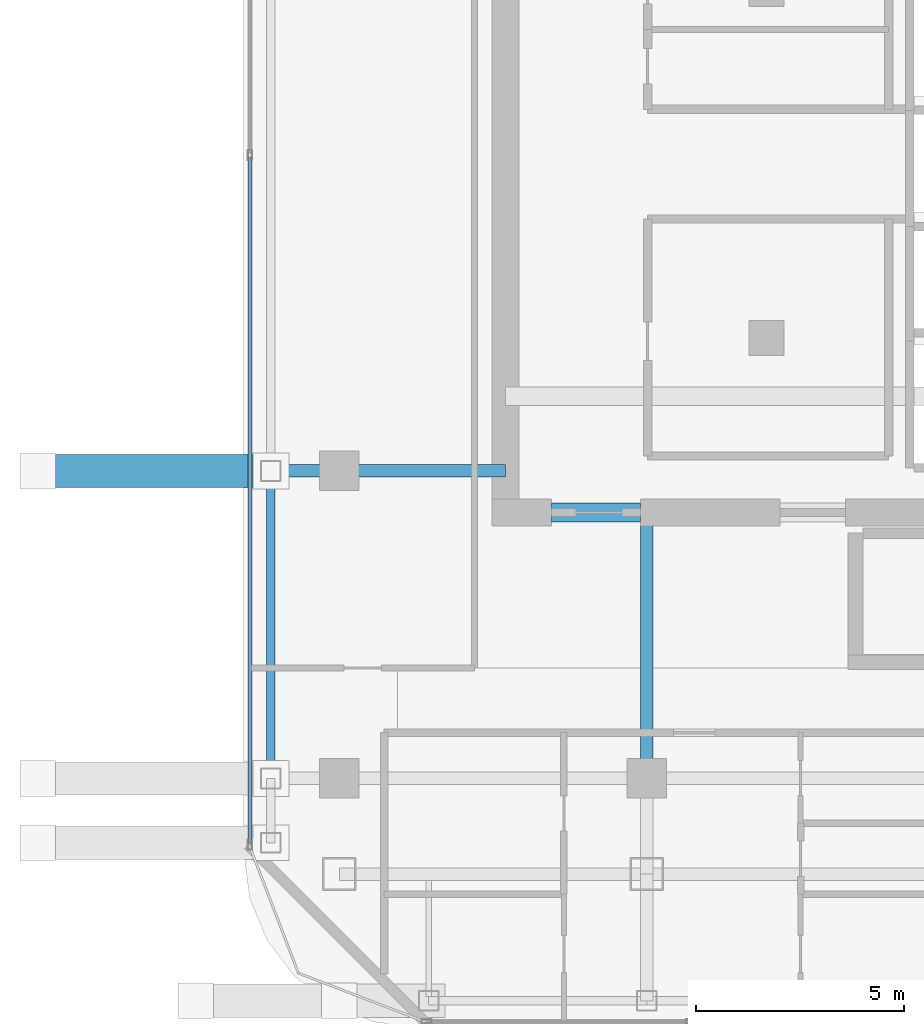
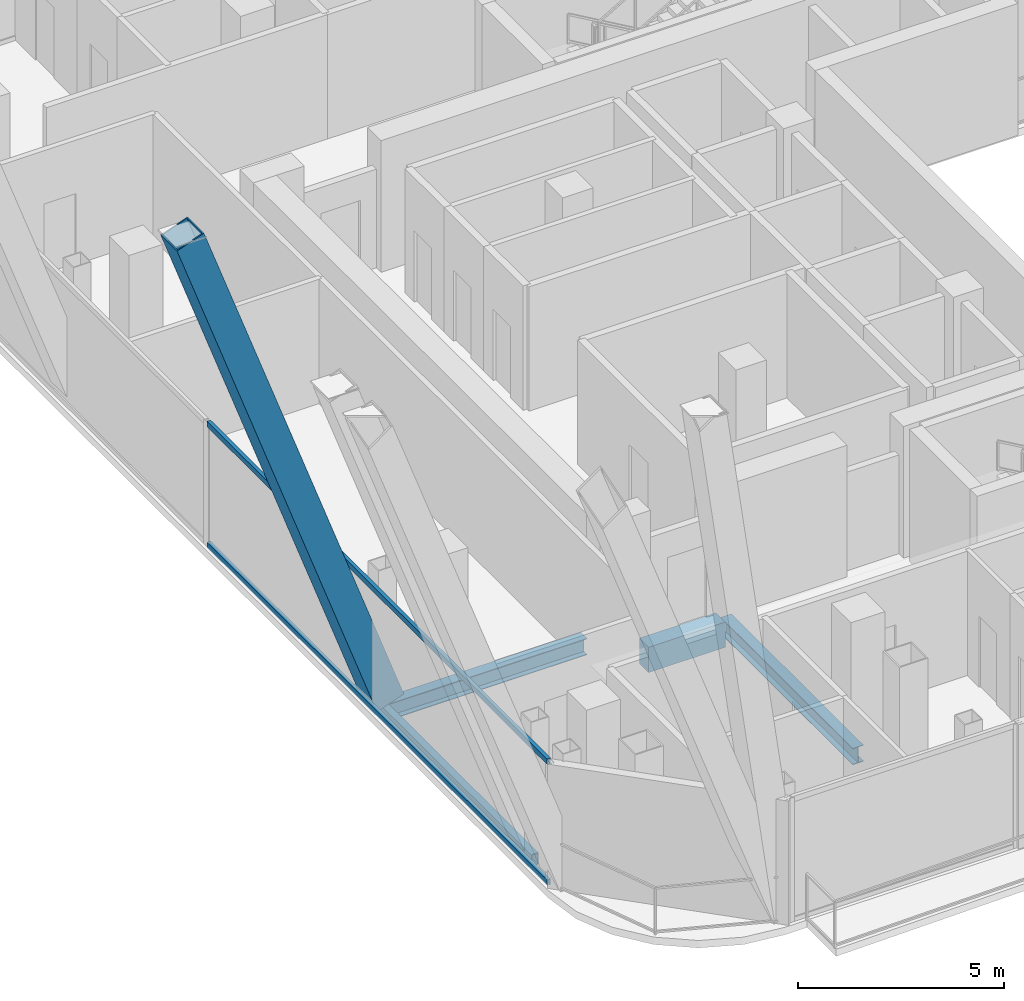
# One storey, part 3 of 27: 4 beams, 3 members, 1 element without a shape of its own.
"""IFC4 building model written with IfcOpenShell, lengths in metres."""

from ifc_helpers import new_model, si_unit, direction, frame, origin, origin_2d, place, context, subcontext, project, spatial, rectangle, hollow_rectangle, i_section, extrude, material, layer, layer_set, material_profile, profile_set, type_object, element, aggregate, save


model = new_model("IFC4")

# Units and contexts
model_context = context("Model", 3, precision=1e-05, world=origin(), true_north=direction((0.0, 1.0)))
body_context = subcontext(model_context, "Body", "Model", "MODEL_VIEW")
ifc_project = project(units=[si_unit("LENGTHUNIT", "METRE"), si_unit("AREAUNIT", "SQUARE_METRE"), si_unit("VOLUMEUNIT", "CUBIC_METRE"), si_unit("PLANEANGLEUNIT", "RADIAN"), si_unit("MASSUNIT", "GRAM", prefix="KILO")], contexts=[model_context])

# Site, building, storey
site_placement = place(None, origin())
site = spatial("IfcSite", under=ifc_project, at=site_placement, CompositionType="ELEMENT")
building_placement = place(site_placement, origin())
building = spatial("IfcBuilding", under=site, at=building_placement, Name="Khorvyn Point Tower", CompositionType="ELEMENT")
storey_placement = place(building_placement, frame((0.0, 0.0, 270.300048828125)))
storey = spatial("IfcBuildingStorey", under=building, at=storey_placement, Name="L66", CompositionType="ELEMENT", Elevation=270.300048828125)

# Curtain wall, members
ifc_material_1 = material(Name="Anodised aluminium 6063-T6 and laminated Low-E glass", Category="aluminium")
ifc_layer = layer(ifc_material_1, 0.18994140625)
ifc_layer_set = layer_set([ifc_layer], Name="Stick-Built High-Wind Curtain Wall CW-SYS-04")
curtain_wall_type = type_object("IfcCurtainWallType", Name="Stick-Built High-Wind Curtain Wall CW-SYS-04", PredefinedType="NOTDEFINED", material=ifc_layer_set)
curtain_wall_placement = place(storey_placement, origin())
curtain_wall = element("IfcCurtainWall", 1, at=curtain_wall_placement, inside=storey, type_object=curtain_wall_type, Name="Curtain Wall", PredefinedType="NOTDEFINED")
ifc_material_2 = material(Name="Anodised aluminium 6063-T6", Category="aluminium")
ifc_material_profile_1 = material_profile(ifc_material_2, hollow_rectangle(XDim=0.10009765625, YDim=0.159912109375, WallThickness=0.00439453125, at=origin_2d()))
ifc_profile_set_1 = profile_set([ifc_material_profile_1], Name="Anodised aluminium 6063-T6 ALU-TRN-100x160")
member_type_1 = type_object("IfcMemberType", Name="Anodised Aluminium 6063-T6 Transom ALU-TRN-100x160", PredefinedType="USERDEFINED", material=ifc_profile_set_1)
member_1_placement = place(storey_placement, frame((-16.949951171875, -16.35009765625, 0.050048828125), z_axis=(0.0, 1.0, 0.0), x_axis=(-1.0, 0.0, 0.0)))
member_1 = element("IfcMember", 2, at=member_1_placement, type_object=member_type_1, Name="Transom", ObjectType="TRANSOM", PredefinedType="USERDEFINED", context=body_context, shape_type="SweptSolid", body=[
    extrude(hollow_rectangle(XDim=0.10009765625, YDim=0.159912109375, WallThickness=0.00439453125, at=origin_2d()), origin(), (0.0, 0.0, 1.0), 16.5),
])
member_2_placement = place(storey_placement, frame((-16.949951171875, -16.35009765625, 3.6298828125), z_axis=(0.0, 1.0, 0.0), x_axis=(-1.0, 0.0, 0.0)))
member_2 = element("IfcMember", 3, at=member_2_placement, type_object=member_type_1, Name="Transom", ObjectType="TRANSOM", PredefinedType="USERDEFINED", context=body_context, shape_type="SweptSolid", body=[
    extrude(hollow_rectangle(XDim=0.10009765625, YDim=0.159912109375, WallThickness=0.00439453125, at=origin_2d()), origin(), (0.0, 0.0, 1.0), 16.5),
])
aggregate(curtain_wall, [member_1, member_2])

# Beams
ifc_material_3 = material(Name="Concrete C40/50", Category="concrete")
ifc_material_profile_2 = material_profile(ifc_material_3, rectangle(XDim=0.449951171875, YDim=0.75, at=origin_2d()))
ifc_profile_set_2 = profile_set([ifc_material_profile_2], Name="Concrete C40/50 RC450x750")
beam_type_1 = type_object("IfcBeamType", Name="Concrete C40/50 Beam RC450x750", PredefinedType="BEAM", material=ifc_profile_set_2)
beam_1_placement = place(storey_placement, frame((-9.699951171875, -8.39990234375, -0.594970703125), z_axis=(1.0, 0.0, 0.0), x_axis=(0.0, 1.0, 0.0)))
element("IfcBeam", 4, at=beam_1_placement, inside=storey, type_object=beam_type_1, Name="L66 Core Southwest Portal Coupling Beam", PredefinedType="BEAM", context=body_context, shape_type="SweptSolid", body=[
    extrude(rectangle(XDim=0.449951171875, YDim=0.75, at=origin_2d()), origin(), (0.0, 0.0, 1.0), 2.14990234375),
])
ifc_material_4 = material(Name="Steel S355", Category="steel")
ifc_material_profile_3 = material_profile(ifc_material_4, i_section(OverallWidth=0.300048828125, OverallDepth=0.488037109375, WebThickness=0.010986328125, FlangeThickness=0.01806640625, at=origin_2d()))
ifc_profile_set_3 = profile_set([ifc_material_profile_3], Name="Steel S355 H488x300x11x18")
beam_type_2 = type_object("IfcBeamType", Name="Steel S355 Spandrel H488x300x11x18", PredefinedType="SPANDREL", material=ifc_profile_set_3)
beam_2_placement = place(storey_placement, frame((-16.449951171875, -7.39990234375, -0.464111328125), z_axis=(1.0, 0.0, 0.0), x_axis=(0.0, 1.0, 0.0)))
element("IfcBeam", 5, at=beam_2_placement, inside=storey, type_object=beam_type_2, Name="Beam", PredefinedType="SPANDREL", context=body_context, shape_type="SweptSolid", body=[
    extrude(i_section(OverallWidth=0.300048828125, OverallDepth=0.488037109375, WebThickness=0.010986328125, FlangeThickness=0.01806640625, at=origin_2d()), origin(), (0.0, 0.0, 1.0), 5.64990234375),
])
beam_3_placement = place(storey_placement, frame((-7.39990234375, -14.800048828125, -0.464111328125), z_axis=(0.0, 1.0, 0.0), x_axis=(-1.0, 0.0, 0.0)))
element("IfcBeam", 6, at=beam_3_placement, inside=storey, type_object=beam_type_2, Name="Beam", PredefinedType="SPANDREL", context=body_context, shape_type="SweptSolid", body=[
    extrude(i_section(OverallWidth=0.300048828125, OverallDepth=0.488037109375, WebThickness=0.010986328125, FlangeThickness=0.01806640625, at=origin_2d()), origin(), (0.0, 0.0, 1.0), 6.400146484375),
])
ifc_material_profile_4 = material_profile(ifc_material_4, hollow_rectangle(XDim=0.199951171875, YDim=0.35009765625, WallThickness=0.013916015625, at=origin_2d()))
ifc_profile_set_4 = profile_set([ifc_material_profile_4], Name="Steel S355 RHS350x200x14")
beam_type_3 = type_object("IfcBeamType", Name="Steel S355 Spandrel RHS350x200x14", PredefinedType="SPANDREL", material=ifc_profile_set_4)
beam_4_placement = place(storey_placement, frame((-16.449951171875, -14.800048828125, -0.39501953125), z_axis=(0.0, 1.0, 0.0), x_axis=(-1.0, 0.0, 0.0)))
element("IfcBeam", 7, at=beam_4_placement, inside=storey, type_object=beam_type_3, Name="Beam", PredefinedType="SPANDREL", context=body_context, shape_type="SweptSolid", body=[
    extrude(hollow_rectangle(XDim=0.199951171875, YDim=0.35009765625, WallThickness=0.013916015625, at=origin_2d()), origin(), (0.0, 0.0, 1.0), 7.400146484375),
])

# Member
ifc_material_5 = material(Name="Steel S450", Category="steel")
ifc_material_profile_5 = material_profile(ifc_material_5, hollow_rectangle(XDim=0.800048828125, YDim=0.800048828125, WallThickness=0.035888671875, at=origin_2d()))
ifc_profile_set_5 = profile_set([ifc_material_profile_5], Name="Steel S450 BOX800x800x36")
member_type_2 = type_object("IfcMemberType", Name="Steel S450 Exoskeleton Structural Post BOX800x800x36", PredefinedType="POST", material=ifc_profile_set_5)
member_3_placement = place(storey_placement, frame((-16.449951171875, -7.39990234375, 0.0), z_axis=(-0.337872783366, 0.0, 0.941191788245), x_axis=(0.0, -1.0, 0.0)))
element("IfcMember", 8, at=member_3_placement, inside=storey, type_object=member_type_2, Name="L66 to L70 Exoskeleton Transfer Post 11", PredefinedType="POST", context=body_context, shape_type="SweptSolid", body=[
    extrude(hollow_rectangle(XDim=0.800048828125, YDim=0.800048828125, WallThickness=0.035888671875, at=origin_2d()), origin(), (0.0, 0.0, 1.0), 16.574462890625),
])

save(model, "model.ifc")
